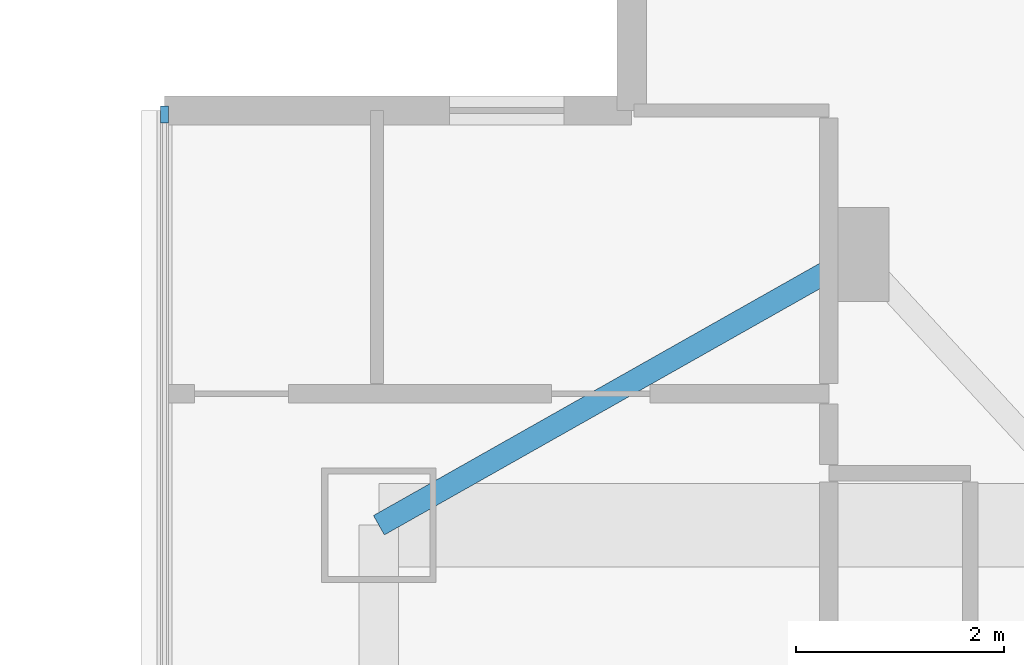
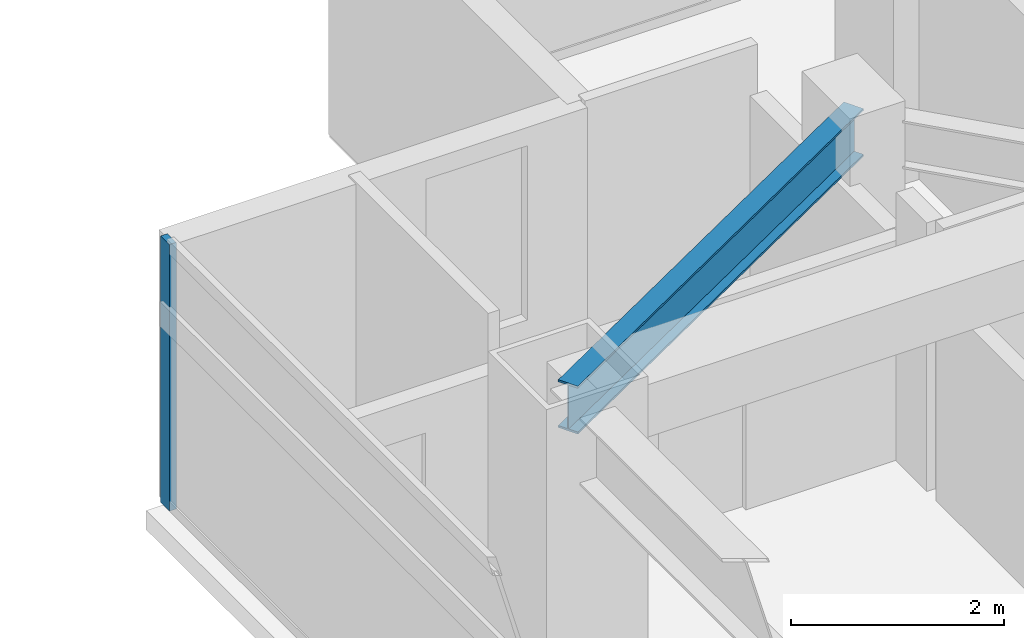
# One storey, part 7 of 26: 1 beam, 1 member, 1 element without a shape of its own.
"""IFC4 building model written with IfcOpenShell, lengths in metres."""

from ifc_helpers import new_model, si_unit, direction, frame, origin, origin_2d, place, context, subcontext, project, spatial, rectangle, i_section, extrude, material, material_profile, profile_set, type_object, element, aggregate, save


model = new_model("IFC4")

# Units and contexts
model_context = context("Model", 3, precision=1e-05, world=origin(), true_north=direction((0.0, 1.0)))
body_context = subcontext(model_context, "Body", "Model", "MODEL_VIEW")
ifc_project = project(units=[si_unit("LENGTHUNIT", "METRE"), si_unit("AREAUNIT", "SQUARE_METRE"), si_unit("VOLUMEUNIT", "CUBIC_METRE"), si_unit("PLANEANGLEUNIT", "RADIAN"), si_unit("MASSUNIT", "GRAM", prefix="KILO")], contexts=[model_context])

# Site, building, storey
site_placement = place(None, origin())
site = spatial("IfcSite", under=ifc_project, at=site_placement, CompositionType="ELEMENT")
building_placement = place(site_placement, origin())
building = spatial("IfcBuilding", under=site, at=building_placement, Name="Mirazonda Arch Towers", CompositionType="ELEMENT")
storey_placement = place(building_placement, frame((0.0, 0.0, 128.0)))
storey = spatial("IfcBuildingStorey", under=building, at=storey_placement, Name="L36", CompositionType="ELEMENT", Elevation=128.0)

# Beam
ifc_material_1 = material(Name="Steel ASTM A992 Grade 50", Category="steel")
ifc_material_profile_1 = material_profile(ifc_material_1, i_section(OverallWidth=0.214111328125, OverallDepth=0.549072265625, WebThickness=0.0146484375, FlangeThickness=0.023681640625, at=origin_2d()), Name="W21X93")
ifc_profile_set_1 = profile_set([ifc_material_profile_1], Name="Steel ASTM A992 Grade 50")
beam_type = type_object("IfcBeamType", Name="BM-INT-W21X93", PredefinedType="BEAM", material=ifc_profile_set_1)
beam_placement = place(storey_placement, frame((65.60009765625, 37.800048828125, 2.805419921875), z_axis=(-0.870559396632, -0.492063346467, 0.0), x_axis=(0.492063346467, -0.870559396632, 0.0)))
element("IfcBeam", 1, at=beam_placement, inside=storey, type_object=beam_type, Name="L36 Floor Beam BM-T2-L36-PL-NW2", PredefinedType="BEAM", context=body_context, shape_type="SweptSolid", body=[
    extrude(i_section(OverallWidth=0.214111328125, OverallDepth=0.549072265625, WebThickness=0.0146484375, FlangeThickness=0.023681640625, at=origin_2d()), origin(), (0.0, 0.0, 1.0), 5.2841796875),
])

# Curtain wall, member
ifc_material_2 = material(Name="Anodised Aluminium and Low-E Glass", Category="aluminium")
curtain_wall_type = type_object("IfcCurtainWallType", Name="CW-HTL-UNIT", PredefinedType="NOTDEFINED", material=ifc_material_2)
curtain_wall_placement = place(storey_placement, origin())
curtain_wall = element("IfcCurtainWall", 2, at=curtain_wall_placement, inside=storey, type_object=curtain_wall_type, Name="L36 T2 W Facade CW-L36-T2-W", PredefinedType="NOTDEFINED")
ifc_material_3 = material(Name="Anodised Aluminium Alloy", Category="aluminium")
ifc_material_profile_2 = material_profile(ifc_material_3, rectangle(XDim=0.074951171875, YDim=0.1650390625, at=origin_2d()), Name="ALU-MULL-75x165")
ifc_profile_set_2 = profile_set([ifc_material_profile_2], Name="Anodised Aluminium Alloy")
member_type = type_object("IfcMemberType", Name="MULL-CW-HTL-UNIT", PredefinedType="MULLION", material=ifc_profile_set_2)
member_placement = place(storey_placement, frame((58.94091796875, 39.14501953125, 0.0), z_axis=(0.0, 0.0, 1.0), x_axis=(1.0, 0.0, 0.0)))
member = element("IfcMember", 3, at=member_placement, type_object=member_type, Name="CW-112 mullion 1", PredefinedType="MULLION", context=body_context, shape_type="SweptSolid", body=[
    extrude(rectangle(XDim=0.074951171875, YDim=0.1650390625, at=origin_2d()), origin(), (0.0, 0.0, 1.0), 3.06005859375),
])
aggregate(curtain_wall, [member])

save(model, "model.ifc")
